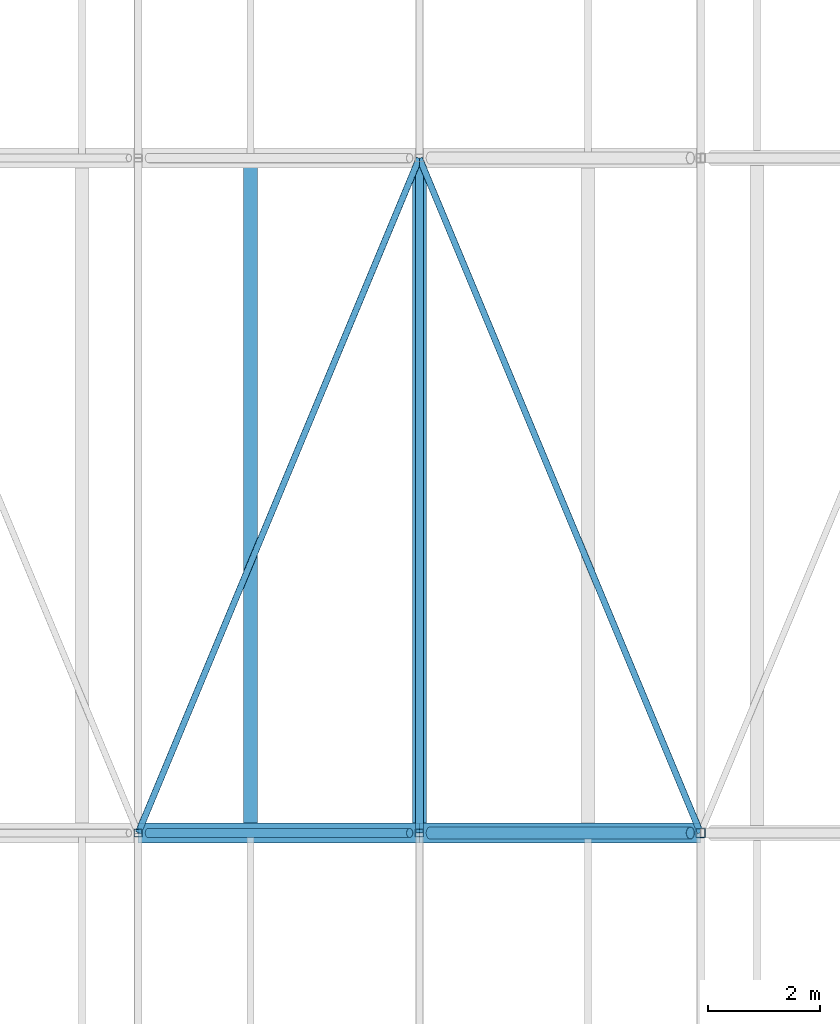
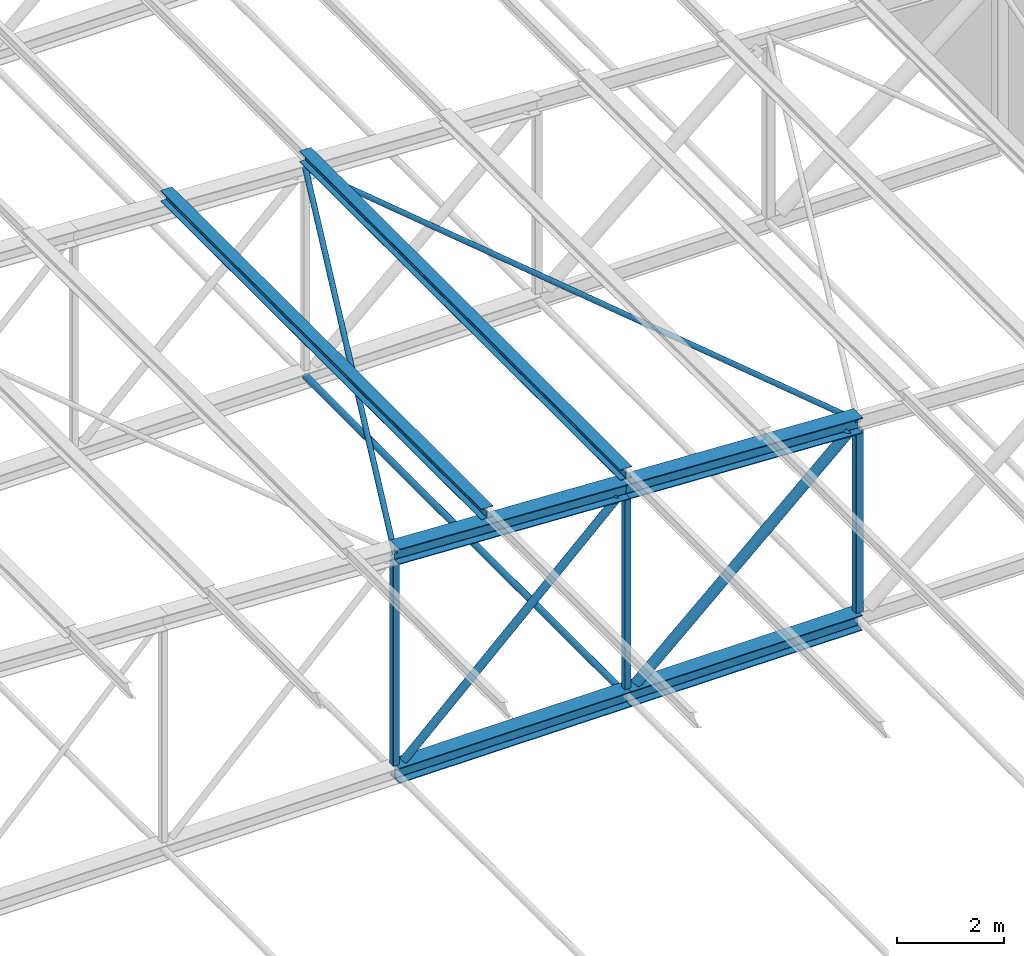
# One storey, part 119 of 156: 14 members.
"""IFC4 building model written with IfcOpenShell, lengths in metres."""

from ifc_helpers import new_model, si_unit, direction, frame, origin, origin_2d, place, context, subcontext, project, spatial, hollow_rectangle, hollow_circle, i_section, extrude, material, material_profile, profile_set, type_object, element, save


model = new_model("IFC4")

# Units and contexts
model_context = context("Model", 3, precision=1e-05, world=origin(), true_north=direction((0.0, 1.0)))
body_context = subcontext(model_context, "Body", "Model", "MODEL_VIEW")
ifc_project = project(units=[si_unit("LENGTHUNIT", "METRE"), si_unit("AREAUNIT", "SQUARE_METRE"), si_unit("VOLUMEUNIT", "CUBIC_METRE"), si_unit("PLANEANGLEUNIT", "RADIAN"), si_unit("MASSUNIT", "GRAM", prefix="KILO")], contexts=[model_context])

# Site, building, storey
site_placement = place(None, origin())
site = spatial("IfcSite", under=ifc_project, at=site_placement, CompositionType="ELEMENT")
building_placement = place(site_placement, origin())
building = spatial("IfcBuilding", under=site, at=building_placement, Name="Lilac Gate Convention Centre", CompositionType="ELEMENT")
storey_placement = place(building_placement, frame((0.0, 0.0, 17.0)))
storey = spatial("IfcBuildingStorey", under=building, at=storey_placement, Name="L03", CompositionType="ELEMENT", Elevation=17.0)

# Members
ifc_material = material(Name="Steel Q355B", Category="steel")
ifc_material_profile_1 = material_profile(ifc_material, hollow_circle(Radius=0.06982421875, WallThickness=0.0048828125, at=origin_2d()), Name="CHS139.7x5")
ifc_profile_set_1 = profile_set([ifc_material_profile_1], Name="Steel Q355B")
member_type_1 = type_object("IfcMemberType", Name="Bottom chord tie CHS139.7x5", PredefinedType="STRUT", material=ifc_profile_set_1)
member_1_placement = place(storey_placement, frame((75.0, 174.006103515625, 0.0), z_axis=(0.0, 1.0, 0.0), x_axis=(-1.0, 0.0, 0.0)))
element("IfcMember", 1, at=member_1_placement, inside=storey, type_object=member_type_1, Name="ST1 tie bay 13 node 10", PredefinedType="STRUT", context=body_context, shape_type="SweptSolid", body=[
    extrude(hollow_circle(Radius=0.06982421875, WallThickness=0.0048828125, at=origin_2d()), origin(), (0.0, 0.0, 1.0), 11.98779296875),
])
ifc_material_profile_2 = material_profile(ifc_material, hollow_circle(Radius=0.05712890625, WallThickness=0.0048828125, at=origin_2d()), Name="CHS114.3x5")
ifc_profile_set_2 = profile_set([ifc_material_profile_2], Name="Steel Q355B")
member_type_2 = type_object("IfcMemberType", Name="Roof plane bracing CHS114.3x5", PredefinedType="BRACE", material=ifc_profile_set_2)
for number, where, z_axis, x_axis, name in (
    (2, (70.00244140625, 174.006103515625, 5.0), (0.384557486582, 0.922900376645, -0.019246669905), (-0.923071361129, 0.384628733019, 0.0), "BR1 plan bracing bay 13 panel 9"),
    (3, (75.00244140625, 185.993896484375, 4.75), (0.384557486582, -0.922900376645, -0.019246669905), (0.923071361129, 0.384628733019, 0.0), "BR1 plan bracing bay 13 panel 10"),
):
    element("IfcMember", number, at=place(storey_placement, frame(where, z_axis=z_axis, x_axis=x_axis)), inside=storey, type_object=member_type_2, Name=name, PredefinedType="BRACE", context=body_context, shape_type="SweptSolid", body=[
        extrude(hollow_circle(Radius=0.05712890625, WallThickness=0.0048828125, at=origin_2d()), origin(), (0.0, 0.0, 1.0), 12.9892578125),
    ])
ifc_material_profile_3 = material_profile(ifc_material, i_section(OverallWidth=0.25, OverallDepth=0.25, WebThickness=0.009033203125, FlangeThickness=0.013916015625, FilletRadius=0.012939453125, at=origin_2d()), Name="HW250x250x9x14")
ifc_profile_set_3 = profile_set([ifc_material_profile_3], Name="Steel Q355B")
member_type_3 = type_object("IfcMemberType", Name="Roof purlin HW250x250x9x14", PredefinedType="PURLIN", material=ifc_profile_set_3)
for number, where, z_axis, x_axis, name in (
    (4, (72.0, 174.0, 5.2001953125), (0.0, 1.0, 0.0), (-1.0, 0.0, 0.0), "PU1 purlin bay 13 line 15"),
    (5, (75.0, 174.0, 5.05029296875), (0.0, 1.0, 0.0), (-1.0, 0.0, 0.0), "PU1 purlin bay 13 line 16"),
):
    element("IfcMember", number, at=place(storey_placement, frame(where, z_axis=z_axis, x_axis=x_axis)), inside=storey, type_object=member_type_3, Name=name, PredefinedType="PURLIN", context=body_context, shape_type="SweptSolid", body=[
        extrude(i_section(OverallWidth=0.25, OverallDepth=0.25, WebThickness=0.009033203125, FlangeThickness=0.013916015625, FilletRadius=0.012939453125, at=origin_2d()), origin(), (0.0, 0.0, 1.0), 12.0),
    ])
ifc_material_profile_4 = material_profile(ifc_material, i_section(OverallWidth=0.35009765625, OverallDepth=0.35009765625, WebThickness=0.011962890625, FlangeThickness=0.01904296875, FilletRadius=0.012939453125, at=origin_2d()), Name="HW350x350x12x19")
ifc_profile_set_4 = profile_set([ifc_material_profile_4], Name="Steel Q355B")
member_type_4 = type_object("IfcMemberType", Name="Truss bottom chord HW350x350x12x19", PredefinedType="CHORD", material=ifc_profile_set_4)
for number, where, z_axis, x_axis, name in (
    (6, (70.0, 174.0, 0.0), (1.0, 0.0, 0.0), (0.0, 1.0, 0.0), "TB2 truss 13 bottom chord 9"),
    (7, (75.0, 174.0, 0.0), (1.0, 0.0, 0.0), (0.0, 1.0, 0.0), "TB2 truss 13 bottom chord 10"),
):
    element("IfcMember", number, at=place(storey_placement, frame(where, z_axis=z_axis, x_axis=x_axis)), inside=storey, type_object=member_type_4, Name=name, PredefinedType="CHORD", context=body_context, shape_type="SweptSolid", body=[
        extrude(i_section(OverallWidth=0.35009765625, OverallDepth=0.35009765625, WebThickness=0.011962890625, FlangeThickness=0.01904296875, FilletRadius=0.012939453125, at=origin_2d()), origin(), (0.0, 0.0, 1.0), 5.0),
    ])
ifc_material_profile_5 = material_profile(ifc_material, hollow_circle(Radius=0.084228515625, WallThickness=0.006103515625, at=origin_2d()), Name="CHS168.3x6")
ifc_profile_set_5 = profile_set([ifc_material_profile_5], Name="Steel Q355B")
member_type_5 = type_object("IfcMemberType", Name="Truss diagonal CHS168.3x6", PredefinedType="BRACE", material=ifc_profile_set_5)
member_2_placement = place(storey_placement, frame((74.8271484375, 174.0, 4.585693359375), z_axis=(-0.725020373275, 0.0, -0.688727419475), x_axis=(0.0, -1.0, 0.0)))
element("IfcMember", 8, at=member_2_placement, inside=storey, type_object=member_type_5, Name="TW4 truss 13 diagonal 9", PredefinedType="BRACE", context=body_context, shape_type="SweptSolid", body=[
    extrude(hollow_circle(Radius=0.084228515625, WallThickness=0.006103515625, at=origin_2d()), origin(), (0.0, 0.0, 1.0), 6.404052734375),
])
ifc_material_profile_6 = material_profile(ifc_material, hollow_circle(Radius=0.109619140625, WallThickness=0.008056640625, at=origin_2d()), Name="CHS219.1x8")
ifc_profile_set_6 = profile_set([ifc_material_profile_6], Name="Steel Q355B")
member_type_6 = type_object("IfcMemberType", Name="Truss diagonal CHS219.1x8", PredefinedType="BRACE", material=ifc_profile_set_6)
member_3_placement = place(storey_placement, frame((79.8173828125, 174.0, 4.335693359375), z_axis=(-0.743301953498, 0.0, -0.668956056797), x_axis=(0.0, -1.0, 0.0)))
element("IfcMember", 9, at=member_3_placement, inside=storey, type_object=member_type_6, Name="TW3 truss 13 diagonal 10", PredefinedType="BRACE", context=body_context, shape_type="SweptSolid", body=[
    extrude(hollow_circle(Radius=0.109619140625, WallThickness=0.008056640625, at=origin_2d()), origin(), (0.0, 0.0, 1.0), 6.2197265625),
])
ifc_material_profile_7 = material_profile(ifc_material, i_section(OverallWidth=0.35009765625, OverallDepth=0.35009765625, WebThickness=0.011962890625, FlangeThickness=0.01904296875, FilletRadius=0.012939453125, at=origin_2d()), Name="HW350x350x12x19")
ifc_profile_set_7 = profile_set([ifc_material_profile_7], Name="Steel Q355B")
member_type_7 = type_object("IfcMemberType", Name="Truss top chord HW350x350x12x19", PredefinedType="CHORD", material=ifc_profile_set_7)
for number, where, z_axis, x_axis, name in (
    (10, (70.0, 174.0, 5.0), (0.998752338878, 0.0, -0.049937616944), (0.0, 1.0, 0.0), "TT2 truss 13 top chord 9"),
    (11, (75.0, 174.0, 4.75), (0.998752338878, 0.0, -0.049937616944), (0.0, 1.0, 0.0), "TT2 truss 13 top chord 10"),
):
    element("IfcMember", number, at=place(storey_placement, frame(where, z_axis=z_axis, x_axis=x_axis)), inside=storey, type_object=member_type_7, Name=name, PredefinedType="CHORD", context=body_context, shape_type="SweptSolid", body=[
        extrude(i_section(OverallWidth=0.35009765625, OverallDepth=0.35009765625, WebThickness=0.011962890625, FlangeThickness=0.01904296875, FilletRadius=0.012939453125, at=origin_2d()), origin(), (0.0, 0.0, 1.0), 5.00634765625),
    ])
ifc_material_profile_8 = material_profile(ifc_material, hollow_rectangle(XDim=0.139892578125, YDim=0.139892578125, WallThickness=0.0048828125, InnerFilletRadius=0.0048828125, OuterFilletRadius=0.010009765625, at=origin_2d()), Name="SHS140x140x5")
ifc_profile_set_8 = profile_set([ifc_material_profile_8], Name="Steel Q355B")
member_type_8 = type_object("IfcMemberType", Name="Truss vertical SHS140x140x5", PredefinedType="STRUT", material=ifc_profile_set_8)
member_4_placement = place(storey_placement, frame((70.0, 174.0, 0.175048828125), z_axis=(0.0, 0.0, 1.0), x_axis=(1.0, 0.0, 0.0)))
element("IfcMember", 12, at=member_4_placement, inside=storey, type_object=member_type_8, Name="TV4 truss 13 vertical 9", PredefinedType="STRUT", context=body_context, shape_type="SweptSolid", body=[
    extrude(hollow_rectangle(XDim=0.139892578125, YDim=0.139892578125, WallThickness=0.0048828125, InnerFilletRadius=0.0048828125, OuterFilletRadius=0.010009765625, at=origin_2d()), origin(), (0.0, 0.0, 1.0), 4.649658203125),
])
member_5_placement = place(storey_placement, frame((75.0, 174.0, 0.175048828125), z_axis=(0.0, 0.0, 1.0), x_axis=(1.0, 0.0, 0.0)))
element("IfcMember", 13, at=member_5_placement, inside=storey, type_object=member_type_8, Name="TV4 truss 13 vertical 10", PredefinedType="STRUT", context=body_context, shape_type="SweptSolid", body=[
    extrude(hollow_rectangle(XDim=0.139892578125, YDim=0.139892578125, WallThickness=0.0048828125, InnerFilletRadius=0.0048828125, OuterFilletRadius=0.010009765625, at=origin_2d()), origin(), (0.0, 0.0, 1.0), 4.399658203125),
])
ifc_material_profile_9 = material_profile(ifc_material, hollow_rectangle(XDim=0.159912109375, YDim=0.159912109375, WallThickness=0.006103515625, InnerFilletRadius=0.006103515625, OuterFilletRadius=0.011962890625, at=origin_2d()), Name="SHS160x160x6")
ifc_profile_set_9 = profile_set([ifc_material_profile_9], Name="Steel Q355B")
member_type_9 = type_object("IfcMemberType", Name="Truss vertical SHS160x160x6", PredefinedType="STRUT", material=ifc_profile_set_9)
member_6_placement = place(storey_placement, frame((80.0, 174.0, 0.175048828125), z_axis=(0.0, 0.0, 1.0), x_axis=(1.0, 0.0, 0.0)))
element("IfcMember", 14, at=member_6_placement, inside=storey, type_object=member_type_9, Name="TV3 truss 13 vertical 11", PredefinedType="STRUT", context=body_context, shape_type="SweptSolid", body=[
    extrude(hollow_rectangle(XDim=0.159912109375, YDim=0.159912109375, WallThickness=0.006103515625, InnerFilletRadius=0.006103515625, OuterFilletRadius=0.011962890625, at=origin_2d()), origin(), (0.0, 0.0, 1.0), 4.149658203125),
])

save(model, "model.ifc")
